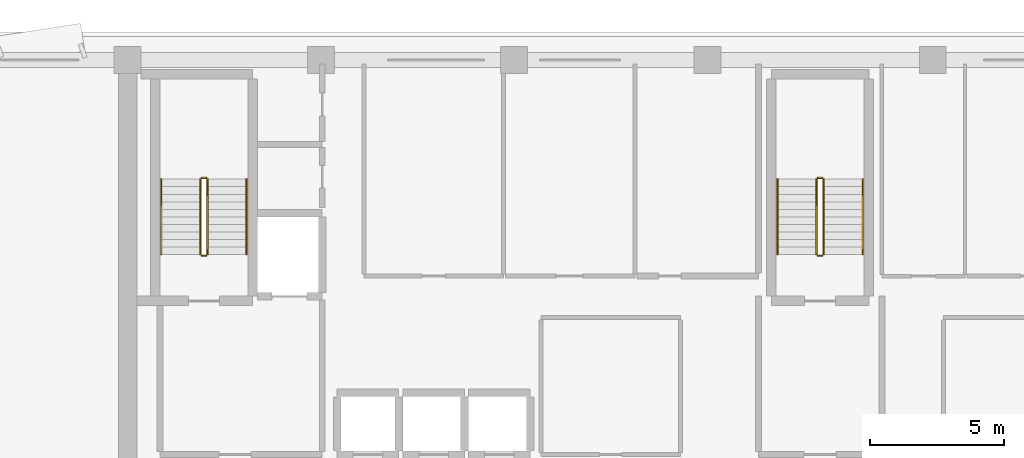
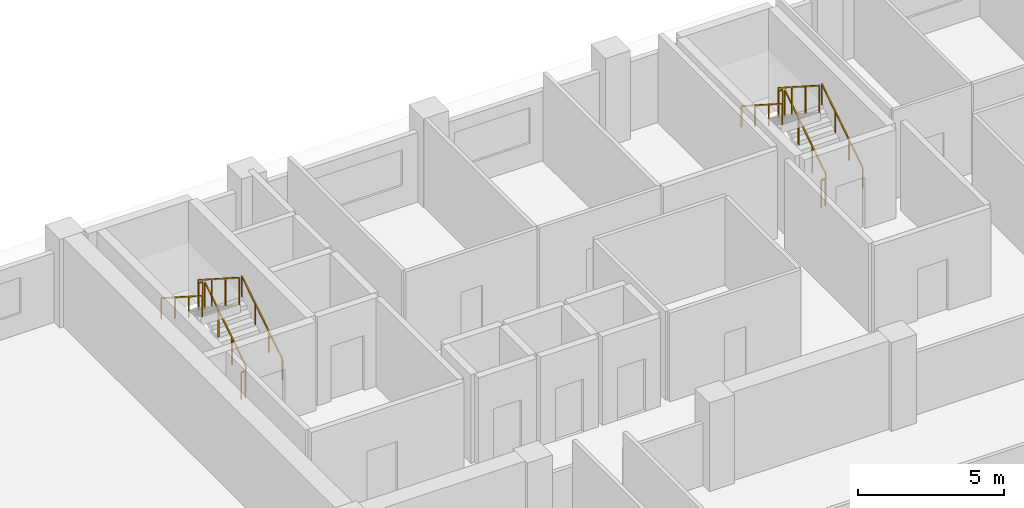
# One storey, part 10 of 11: 12 railings.
"""IFC4 building model written with IfcOpenShell, lengths in metres."""

from ifc_helpers import new_model, si_unit, direction, frame, origin, origin_2d, place, context, subcontext, project, spatial, rectangle, extrude, material, type_object, element, save


model = new_model("IFC4")

# Units and contexts
model_context = context("Model", 3, precision=1e-05, world=origin(), true_north=direction((0.0, 1.0)))
body_context = subcontext(model_context, "Body", "Model", "MODEL_VIEW")
ifc_project = project(units=[si_unit("LENGTHUNIT", "METRE"), si_unit("AREAUNIT", "SQUARE_METRE"), si_unit("VOLUMEUNIT", "CUBIC_METRE"), si_unit("PLANEANGLEUNIT", "RADIAN"), si_unit("MASSUNIT", "GRAM", prefix="KILO")], contexts=[model_context])

# Site, building, storey
site_placement = place(None, origin())
site = spatial("IfcSite", under=ifc_project, at=site_placement, CompositionType="ELEMENT")
building_placement = place(site_placement, origin())
building = spatial("IfcBuilding", under=site, at=building_placement, Name="Kaelvorn Grand Hotel", CompositionType="ELEMENT")
storey_placement = place(building_placement, frame((0.0, 0.0, 248.89990234375)))
storey = spatial("IfcBuildingStorey", under=building, at=storey_placement, Name="L61", CompositionType="ELEMENT", Elevation=248.89990234375)

# Railings
ifc_material = material(Name="Stainless Steel", Category="steel")
railing_type_1 = type_object("IfcRailingType", Name="RL-HANDRAIL-900", PredefinedType="HANDRAIL", material=ifc_material)
railing_1_placement = place(storey_placement, frame((20.6298828125, 41.760009765625, 0.1796875)))
element("IfcRailing", 1, at=railing_1_placement, inside=storey, type_object=railing_type_1, Name="L61 ST1 stair handrail 1", PredefinedType="HANDRAIL", context=body_context, shape_type="SweptSolid", body=[
    extrude(rectangle(XDim=0.048095703125, YDim=0.048095703125, at=origin_2d()), frame((0.0, 0.0, 0.8759765625), z_axis=(0.0, 0.841809871826, 0.539774156196), x_axis=(-1.0, 0.0, 0.0)), (0.0, 0.0, 1.0), 3.326171875),
    extrude(rectangle(XDim=0.0419921875, YDim=0.0419921875, at=origin_2d()), origin(), (0.0, 0.0, 1.0), 0.851806640625),
    extrude(rectangle(XDim=0.0419921875, YDim=0.0419921875, at=origin_2d()), frame((0.0, 0.933349609375, 0.598388671875)), (0.0, 0.0, 1.0), 0.851806640625),
    extrude(rectangle(XDim=0.0419921875, YDim=0.0419921875, at=origin_2d()), frame((0.0, 1.86669921875, 1.197021484375)), (0.0, 0.0, 1.0), 0.851806640625),
    extrude(rectangle(XDim=0.0419921875, YDim=0.0419921875, at=origin_2d()), frame((0.0, 2.800048828125, 1.79541015625)), (0.0, 0.0, 1.0), 0.851806640625),
])
railing_2_placement = place(storey_placement, frame((17.449951171875, 44.56005859375, 2.154541015625)))
element("IfcRailing", 2, at=railing_2_placement, inside=storey, type_object=railing_type_1, Name="L61 ST1 stair handrail 2", PredefinedType="HANDRAIL", context=body_context, shape_type="SweptSolid", body=[
    extrude(rectangle(XDim=0.048095703125, YDim=0.048095703125, at=origin_2d()), frame((0.0, 0.0, 0.8759765625), z_axis=(0.0, -0.841776520102, 0.539826166654), x_axis=(1.0, 0.0, 0.0)), (0.0, 0.0, 1.0), 3.326416015625),
    extrude(rectangle(XDim=0.0419921875, YDim=0.0419921875, at=origin_2d()), origin(), (0.0, 0.0, 1.0), 0.851806640625),
    extrude(rectangle(XDim=0.0419921875, YDim=0.0419921875, at=origin_2d()), frame((0.0, -0.933349609375, 0.5986328125)), (0.0, 0.0, 1.0), 0.851806640625),
    extrude(rectangle(XDim=0.0419921875, YDim=0.0419921875, at=origin_2d()), frame((0.0, -1.86669921875, 1.197021484375)), (0.0, 0.0, 1.0), 0.851806640625),
    extrude(rectangle(XDim=0.0419921875, YDim=0.0419921875, at=origin_2d()), frame((0.0, -2.800048828125, 1.795654296875)), (0.0, 0.0, 1.0), 0.851806640625),
])
railing_3_placement = place(storey_placement, frame((43.590087890625, 41.760009765625, 0.1796875)))
element("IfcRailing", 3, at=railing_3_placement, inside=storey, type_object=railing_type_1, Name="L61 ST2 stair handrail 1", PredefinedType="HANDRAIL", context=body_context, shape_type="SweptSolid", body=[
    extrude(rectangle(XDim=0.048095703125, YDim=0.048095703125, at=origin_2d()), frame((0.0, 0.0, 0.8759765625), z_axis=(0.0, 0.841809871826, 0.539774156196), x_axis=(-1.0, 0.0, 0.0)), (0.0, 0.0, 1.0), 3.326171875),
    extrude(rectangle(XDim=0.0419921875, YDim=0.0419921875, at=origin_2d()), origin(), (0.0, 0.0, 1.0), 0.851806640625),
    extrude(rectangle(XDim=0.0419921875, YDim=0.0419921875, at=origin_2d()), frame((0.0, 0.933349609375, 0.598388671875)), (0.0, 0.0, 1.0), 0.851806640625),
    extrude(rectangle(XDim=0.0419921875, YDim=0.0419921875, at=origin_2d()), frame((0.0, 1.86669921875, 1.197021484375)), (0.0, 0.0, 1.0), 0.851806640625),
    extrude(rectangle(XDim=0.0419921875, YDim=0.0419921875, at=origin_2d()), frame((0.0, 2.800048828125, 1.79541015625)), (0.0, 0.0, 1.0), 0.851806640625),
])
railing_4_placement = place(storey_placement, frame((40.409912109375, 44.56005859375, 2.154541015625)))
element("IfcRailing", 4, at=railing_4_placement, inside=storey, type_object=railing_type_1, Name="L61 ST2 stair handrail 2", PredefinedType="HANDRAIL", context=body_context, shape_type="SweptSolid", body=[
    extrude(rectangle(XDim=0.048095703125, YDim=0.048095703125, at=origin_2d()), frame((0.0, 0.0, 0.8759765625), z_axis=(0.0, -0.841776520102, 0.539826166654), x_axis=(1.0, 0.0, 0.0)), (0.0, 0.0, 1.0), 3.326416015625),
    extrude(rectangle(XDim=0.0419921875, YDim=0.0419921875, at=origin_2d()), origin(), (0.0, 0.0, 1.0), 0.851806640625),
    extrude(rectangle(XDim=0.0419921875, YDim=0.0419921875, at=origin_2d()), frame((0.0, -0.933349609375, 0.5986328125)), (0.0, 0.0, 1.0), 0.851806640625),
    extrude(rectangle(XDim=0.0419921875, YDim=0.0419921875, at=origin_2d()), frame((0.0, -1.86669921875, 1.197021484375)), (0.0, 0.0, 1.0), 0.851806640625),
    extrude(rectangle(XDim=0.0419921875, YDim=0.0419921875, at=origin_2d()), frame((0.0, -2.800048828125, 1.795654296875)), (0.0, 0.0, 1.0), 0.851806640625),
])
railing_type_2 = type_object("IfcRailingType", Name="RL-STAIR-GUARD-1150", PredefinedType="BALUSTRADE", material=ifc_material)
railing_5_placement = place(storey_placement, frame((19.169921875, 41.760009765625, 0.1796875)))
element("IfcRailing", 5, at=railing_5_placement, inside=storey, type_object=railing_type_2, Name="L61 ST1 stair guard 1", PredefinedType="BALUSTRADE", context=body_context, shape_type="SweptSolid", body=[
    extrude(rectangle(XDim=0.048095703125, YDim=0.048095703125, at=origin_2d()), frame((0.0, 0.0, 1.1259765625), z_axis=(0.0, 0.841809871826, 0.539774156196), x_axis=(-1.0, 0.0, 0.0)), (0.0, 0.0, 1.0), 3.326171875),
    extrude(rectangle(XDim=0.0419921875, YDim=0.0419921875, at=origin_2d()), origin(), (0.0, 0.0, 1.0), 1.101806640625),
    extrude(rectangle(XDim=0.0419921875, YDim=0.0419921875, at=origin_2d()), frame((0.0, 0.933349609375, 0.598388671875)), (0.0, 0.0, 1.0), 1.101806640625),
    extrude(rectangle(XDim=0.0419921875, YDim=0.0419921875, at=origin_2d()), frame((0.0, 1.86669921875, 1.197021484375)), (0.0, 0.0, 1.0), 1.101806640625),
    extrude(rectangle(XDim=0.0419921875, YDim=0.0419921875, at=origin_2d()), frame((0.0, 2.800048828125, 1.79541015625)), (0.0, 0.0, 1.0), 1.101806640625),
])
railing_6_placement = place(storey_placement, frame((19.1201171875, 44.610107421875, 1.97509765625)))
element("IfcRailing", 6, at=railing_6_placement, inside=storey, type_object=railing_type_2, Name="L61 ST1 stair guard 2", PredefinedType="BALUSTRADE", context=body_context, shape_type="SweptSolid", body=[
    extrude(rectangle(XDim=0.048095703125, YDim=0.048095703125, at=origin_2d()), frame((0.0, 0.0, 1.1259765625), z_axis=(-1.0, 0.0, 0.0), x_axis=(0.0, -1.0, 0.0)), (0.0, 0.0, 1.0), 0.16015625),
    extrude(rectangle(XDim=0.0419921875, YDim=0.0419921875, at=origin_2d()), origin(), (0.0, 0.0, 1.0), 1.101806640625),
    extrude(rectangle(XDim=0.0419921875, YDim=0.0419921875, at=origin_2d()), frame((-0.16015625, 0.0, 0.0)), (0.0, 0.0, 1.0), 1.101806640625),
])
railing_7_placement = place(storey_placement, frame((18.909912109375, 44.56005859375, 2.154541015625)))
element("IfcRailing", 7, at=railing_7_placement, inside=storey, type_object=railing_type_2, Name="L61 ST1 stair guard 3", PredefinedType="BALUSTRADE", context=body_context, shape_type="SweptSolid", body=[
    extrude(rectangle(XDim=0.048095703125, YDim=0.048095703125, at=origin_2d()), frame((0.0, 0.0, 1.1259765625), z_axis=(0.0, -0.841776520102, 0.539826166654), x_axis=(1.0, 0.0, 0.0)), (0.0, 0.0, 1.0), 3.326416015625),
    extrude(rectangle(XDim=0.0419921875, YDim=0.0419921875, at=origin_2d()), origin(), (0.0, 0.0, 1.0), 1.101806640625),
    extrude(rectangle(XDim=0.0419921875, YDim=0.0419921875, at=origin_2d()), frame((0.0, -0.933349609375, 0.5986328125)), (0.0, 0.0, 1.0), 1.101806640625),
    extrude(rectangle(XDim=0.0419921875, YDim=0.0419921875, at=origin_2d()), frame((0.0, -1.86669921875, 1.197021484375)), (0.0, 0.0, 1.0), 1.101806640625),
    extrude(rectangle(XDim=0.0419921875, YDim=0.0419921875, at=origin_2d()), frame((0.0, -2.800048828125, 1.795654296875)), (0.0, 0.0, 1.0), 1.101806640625),
])
railing_8_placement = place(storey_placement, frame((19.1201171875, 41.7099609375, 0.0)))
element("IfcRailing", 8, at=railing_8_placement, inside=storey, type_object=railing_type_2, Name="L61 ST1 stair guard 4", PredefinedType="BALUSTRADE", context=body_context, shape_type="SweptSolid", body=[
    extrude(rectangle(XDim=0.048095703125, YDim=0.048095703125, at=origin_2d()), frame((0.0, 0.0, 1.1259765625), z_axis=(-1.0, 0.0, 0.0), x_axis=(0.0, -1.0, 0.0)), (0.0, 0.0, 1.0), 0.16015625),
    extrude(rectangle(XDim=0.0419921875, YDim=0.0419921875, at=origin_2d()), origin(), (0.0, 0.0, 1.0), 1.101806640625),
    extrude(rectangle(XDim=0.0419921875, YDim=0.0419921875, at=origin_2d()), frame((-0.16015625, 0.0, 0.0)), (0.0, 0.0, 1.0), 1.101806640625),
])
railing_9_placement = place(storey_placement, frame((42.1298828125, 41.760009765625, 0.1796875)))
element("IfcRailing", 9, at=railing_9_placement, inside=storey, type_object=railing_type_2, Name="L61 ST2 stair guard 1", PredefinedType="BALUSTRADE", context=body_context, shape_type="SweptSolid", body=[
    extrude(rectangle(XDim=0.048095703125, YDim=0.048095703125, at=origin_2d()), frame((0.0, 0.0, 1.1259765625), z_axis=(0.0, 0.841809871826, 0.539774156196), x_axis=(-1.0, 0.0, 0.0)), (0.0, 0.0, 1.0), 3.326171875),
    extrude(rectangle(XDim=0.0419921875, YDim=0.0419921875, at=origin_2d()), origin(), (0.0, 0.0, 1.0), 1.101806640625),
    extrude(rectangle(XDim=0.0419921875, YDim=0.0419921875, at=origin_2d()), frame((0.0, 0.933349609375, 0.598388671875)), (0.0, 0.0, 1.0), 1.101806640625),
    extrude(rectangle(XDim=0.0419921875, YDim=0.0419921875, at=origin_2d()), frame((0.0, 1.86669921875, 1.197021484375)), (0.0, 0.0, 1.0), 1.101806640625),
    extrude(rectangle(XDim=0.0419921875, YDim=0.0419921875, at=origin_2d()), frame((0.0, 2.800048828125, 1.79541015625)), (0.0, 0.0, 1.0), 1.101806640625),
])
railing_10_placement = place(storey_placement, frame((42.080078125, 44.610107421875, 1.97509765625)))
element("IfcRailing", 10, at=railing_10_placement, inside=storey, type_object=railing_type_2, Name="L61 ST2 stair guard 2", PredefinedType="BALUSTRADE", context=body_context, shape_type="SweptSolid", body=[
    extrude(rectangle(XDim=0.048095703125, YDim=0.048095703125, at=origin_2d()), frame((0.0, 0.0, 1.1259765625), z_axis=(-1.0, 0.0, 0.0), x_axis=(0.0, -1.0, 0.0)), (0.0, 0.0, 1.0), 0.16015625),
    extrude(rectangle(XDim=0.0419921875, YDim=0.0419921875, at=origin_2d()), origin(), (0.0, 0.0, 1.0), 1.101806640625),
    extrude(rectangle(XDim=0.0419921875, YDim=0.0419921875, at=origin_2d()), frame((-0.16015625, 0.0, 0.0)), (0.0, 0.0, 1.0), 1.101806640625),
])
railing_11_placement = place(storey_placement, frame((41.8701171875, 44.56005859375, 2.154541015625)))
element("IfcRailing", 11, at=railing_11_placement, inside=storey, type_object=railing_type_2, Name="L61 ST2 stair guard 3", PredefinedType="BALUSTRADE", context=body_context, shape_type="SweptSolid", body=[
    extrude(rectangle(XDim=0.048095703125, YDim=0.048095703125, at=origin_2d()), frame((0.0, 0.0, 1.1259765625), z_axis=(0.0, -0.841776520102, 0.539826166654), x_axis=(1.0, 0.0, 0.0)), (0.0, 0.0, 1.0), 3.326416015625),
    extrude(rectangle(XDim=0.0419921875, YDim=0.0419921875, at=origin_2d()), origin(), (0.0, 0.0, 1.0), 1.101806640625),
    extrude(rectangle(XDim=0.0419921875, YDim=0.0419921875, at=origin_2d()), frame((0.0, -0.933349609375, 0.5986328125)), (0.0, 0.0, 1.0), 1.101806640625),
    extrude(rectangle(XDim=0.0419921875, YDim=0.0419921875, at=origin_2d()), frame((0.0, -1.86669921875, 1.197021484375)), (0.0, 0.0, 1.0), 1.101806640625),
    extrude(rectangle(XDim=0.0419921875, YDim=0.0419921875, at=origin_2d()), frame((0.0, -2.800048828125, 1.795654296875)), (0.0, 0.0, 1.0), 1.101806640625),
])
railing_12_placement = place(storey_placement, frame((42.080078125, 41.7099609375, 0.0)))
element("IfcRailing", 12, at=railing_12_placement, inside=storey, type_object=railing_type_2, Name="L61 ST2 stair guard 4", PredefinedType="BALUSTRADE", context=body_context, shape_type="SweptSolid", body=[
    extrude(rectangle(XDim=0.048095703125, YDim=0.048095703125, at=origin_2d()), frame((0.0, 0.0, 1.1259765625), z_axis=(-1.0, 0.0, 0.0), x_axis=(0.0, -1.0, 0.0)), (0.0, 0.0, 1.0), 0.16015625),
    extrude(rectangle(XDim=0.0419921875, YDim=0.0419921875, at=origin_2d()), origin(), (0.0, 0.0, 1.0), 1.101806640625),
    extrude(rectangle(XDim=0.0419921875, YDim=0.0419921875, at=origin_2d()), frame((-0.16015625, 0.0, 0.0)), (0.0, 0.0, 1.0), 1.101806640625),
])

save(model, "model.ifc")
